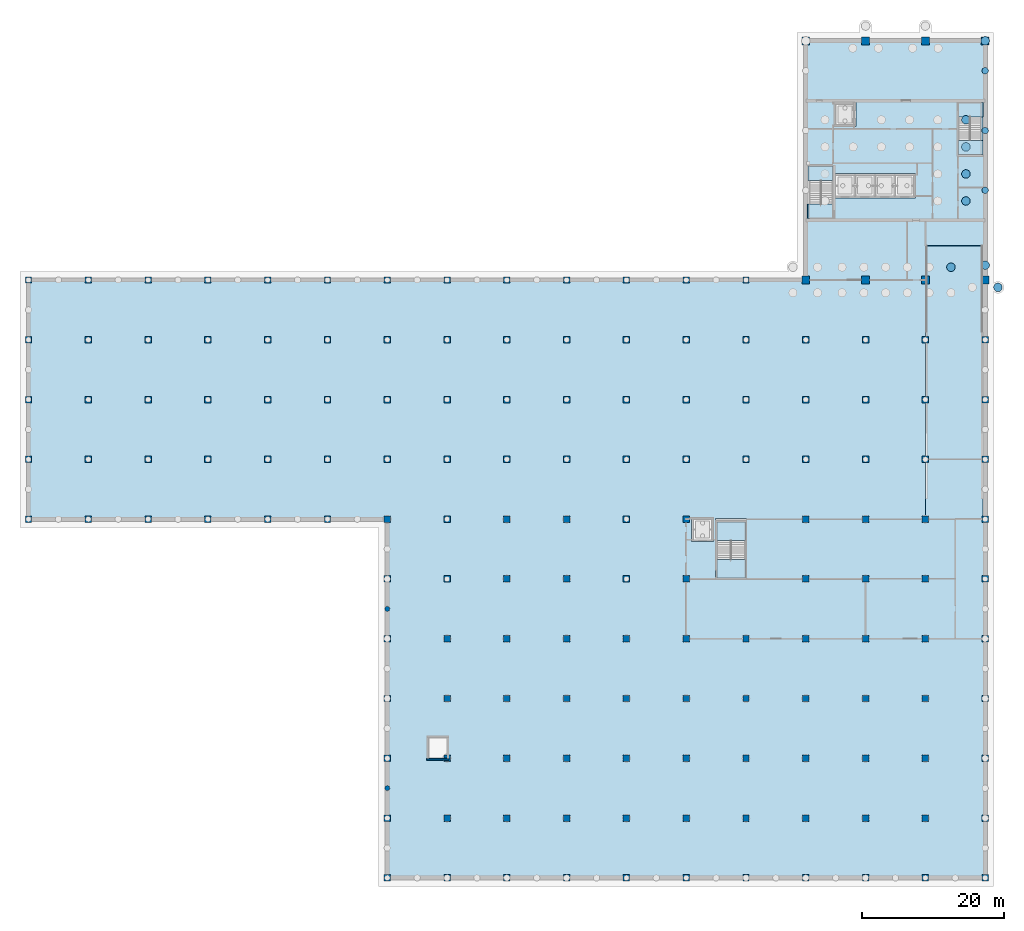
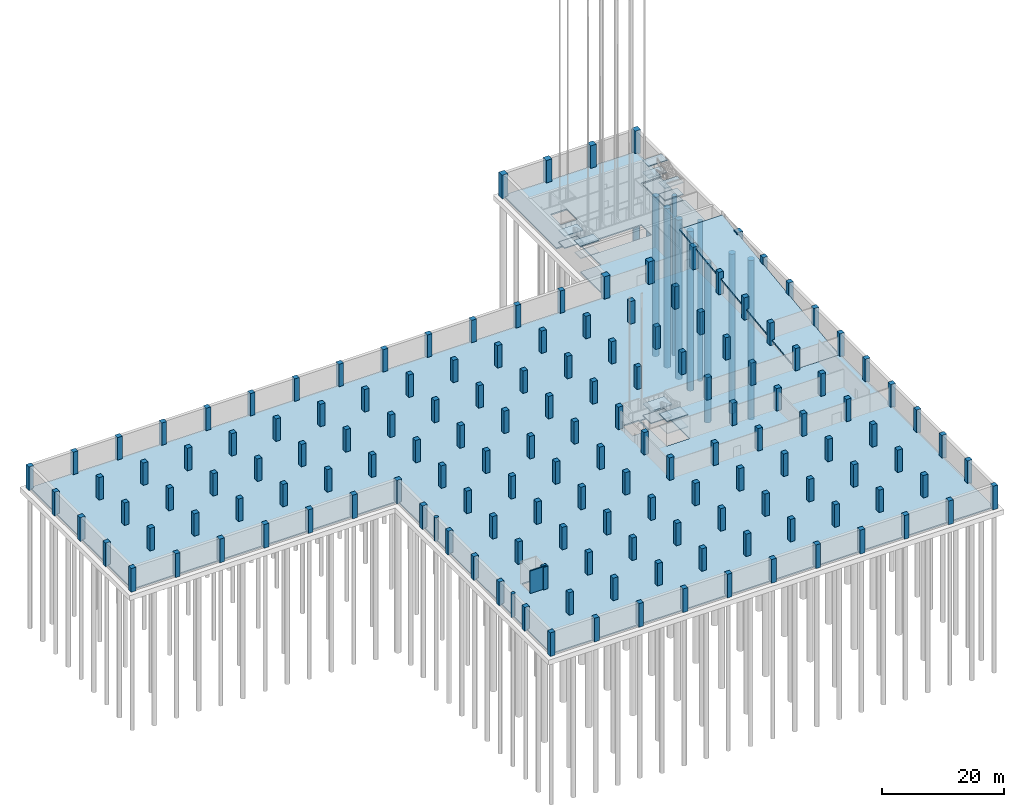
# One storey, part 3 of 26: 155 columns, 14 slabs, 11 piles, 1 footing, 1 wall, 3 elements without a shape of their own.
"""IFC4 building model written with IfcOpenShell, lengths in metres."""

import ifcopenshell
import ifcopenshell.guid

model = None  # the IFC model being written
_history = None  # IfcOwnerHistory: only IFC2X3 demands one
_inside = {}  # id of a spatial element -> (the spatial element, [elements in it])
_under = {}  # id of a project, library or spatial element -> (it, [spatial elements below it])
_declared = {}  # id of a project -> (the project, [libraries it declares])
_typed = {}  # id of a type object -> (the type object, [elements of that type])
_made_of = {}  # id of a material, layer set ... -> (it, [elements and type objects made of it])


def new_model(schema):
    """Start an empty IFC model of exactly this schema.

    Asked for "IFC4X3", IfcOpenShell would pick the latest addendum, in which some entities
    have other attributes; the version numbers below select the first issue.
    IFC2X3 requires an IfcOwnerHistory on every rooted entity: one is made here for all.
    """
    global model, _history
    if schema == "IFC4X3":
        model = ifcopenshell.file(schema_version=(4, 3, 0, 0))
    else:
        model = ifcopenshell.file(schema=schema)
    _inside.clear()
    _under.clear()
    _declared.clear()
    _typed.clear()
    _made_of.clear()
    _history = None
    if model.schema == "IFC2X3":
        org = make("IfcOrganization", Name="unknown")
        user = make(
            "IfcPersonAndOrganization",
            ThePerson=make("IfcPerson", FamilyName="unknown"),
            TheOrganization=org,
        )
        app = make(
            "IfcApplication",
            ApplicationDeveloper=org,
            Version="unknown",
            ApplicationFullName="unknown",
            ApplicationIdentifier="unknown",
        )
        _history = make(
            "IfcOwnerHistory",
            OwningUser=user,
            OwningApplication=app,
            ChangeAction="ADDED",
            CreationDate=0,
        )
    return model


def make(cls, **values):
    """One entity of the class cls with the attributes given. An attribute that is None is left unset."""
    return model.create_entity(
        cls, **{name: value for name, value in values.items() if value is not None}
    )


def rooted(cls, **values):
    """An entity with a GlobalId (a new one), such as an element, a storey or a relation."""
    return make(cls, GlobalId=ifcopenshell.guid.new(), OwnerHistory=_history, **values)


def si_unit(unit_type, name, prefix=None):
    """IfcSIUnit, for example si_unit("LENGTHUNIT", "METRE", prefix="MILLI")."""
    return make("IfcSIUnit", UnitType=unit_type, Prefix=prefix, Name=name)


def assignment(units):
    """IfcUnitAssignment: the units of a project."""
    return None if units is None else make("IfcUnitAssignment", Units=units)


def point(xyz):
    """IfcCartesianPoint."""
    return None if xyz is None else make("IfcCartesianPoint", Coordinates=xyz)


def direction(xyz):
    """IfcDirection."""
    return None if xyz is None else make("IfcDirection", DirectionRatios=xyz)


def frame(location, z_axis=None, x_axis=None):
    """IfcAxis2Placement3D, a coordinate frame: its origin and axes. An axis left out is left unset."""
    return make(
        "IfcAxis2Placement3D",
        Location=point(location),
        Axis=direction(z_axis),
        RefDirection=direction(x_axis),
    )


def frame_2d(location, x_axis=None):
    """IfcAxis2Placement2D, a coordinate frame in the plane: its origin and x axis."""
    return make(
        "IfcAxis2Placement2D", Location=point(location), RefDirection=direction(x_axis)
    )


def origin():
    """The frame at (0, 0, 0) with its axes left unset."""
    return frame((0.0, 0.0, 0.0))


def origin_2d():
    """The frame at (0, 0) in the plane with its x axis left unset."""
    return frame_2d((0.0, 0.0))


def place(relative_to, where):
    """IfcLocalPlacement: puts the frame where relative to a parent placement (None: the world)."""
    return make(
        "IfcLocalPlacement", PlacementRelTo=relative_to, RelativePlacement=where
    )


def context(
    kind, dimensions, precision=None, world=None, true_north=None, identifier=None
):
    """IfcGeometricRepresentationContext, for example the 3D "Model" context."""
    return make(
        "IfcGeometricRepresentationContext",
        ContextIdentifier=identifier,
        ContextType=kind,
        CoordinateSpaceDimension=dimensions,
        Precision=precision,
        WorldCoordinateSystem=world,
        TrueNorth=true_north,
    )


def subcontext(parent, identifier, kind, view, scale=None):
    """IfcGeometricRepresentationSubContext, for example "Body" below "Model"."""
    return make(
        "IfcGeometricRepresentationSubContext",
        ContextIdentifier=identifier,
        ContextType=kind,
        ParentContext=parent,
        TargetScale=scale,
        TargetView=view,
    )


def project(units=None, contexts=None):
    """IfcProject with its units and contexts."""
    return rooted(
        "IfcProject",
        Name="project",
        RepresentationContexts=contexts,
        UnitsInContext=assignment(units),
    )


def spatial(cls, under=None, at=None, **own):
    """A site, building, storey or space (cls), placed at a placement, below another one or the project."""
    s = rooted(cls, ObjectPlacement=at, **own)
    if under is not None:
        _under.setdefault(under.id(), (under, []))[1].append(s)
    return s


def polyline(points):
    """IfcPolyline through the points."""
    return make("IfcPolyline", Points=[point(p) for p in points])


def profile(cls, at=None, kind="AREA", **sizes):
    """A parametric profile (cls). Its sizes go by their IFC names, for example OverallWidth=200.0."""
    return make(cls, ProfileType=kind, Position=at, **sizes)


def rectangle(**sizes):
    """IfcRectangleProfileDef."""
    return profile("IfcRectangleProfileDef", **sizes)


def circle(**sizes):
    """IfcCircleProfileDef."""
    return profile("IfcCircleProfileDef", **sizes)


def outline(outer, holes=None, kind="AREA"):
    """IfcArbitraryClosedProfileDef: a profile drawn as a closed curve; with holes, ...WithVoids."""
    if holes is None:
        return make("IfcArbitraryClosedProfileDef", ProfileType=kind, OuterCurve=outer)
    return make(
        "IfcArbitraryProfileDefWithVoids",
        ProfileType=kind,
        OuterCurve=outer,
        InnerCurves=holes,
    )


def extrude(swept, where, along, depth):
    """IfcExtrudedAreaSolid: the profile swept, set in the frame where, extruded along a direction by depth."""
    return make(
        "IfcExtrudedAreaSolid",
        SweptArea=swept,
        Position=where,
        ExtrudedDirection=direction(along),
        Depth=depth,
    )


def shape(context_of_items, identifier, shape_type, items):
    """IfcShapeRepresentation: the items that make up one representation, for example the "Body"."""
    return make(
        "IfcShapeRepresentation",
        ContextOfItems=context_of_items,
        RepresentationIdentifier=identifier,
        RepresentationType=shape_type,
        Items=items,
    )


def material(Name=None, Category=None):
    """IfcMaterial."""
    return make("IfcMaterial", Name=Name, Category=Category)


def layer(
    of_material, thickness, ventilated=None, Name=None, Category=None, Priority=None
):
    """IfcMaterialLayer: one layer of a wall or slab, of a material (None: an air gap)."""
    return make(
        "IfcMaterialLayer",
        Material=of_material,
        LayerThickness=thickness,
        IsVentilated=ventilated,
        Name=Name,
        Category=Category,
        Priority=Priority,
    )


def layer_set(layers, Name=None):
    """IfcMaterialLayerSet."""
    return make("IfcMaterialLayerSet", MaterialLayers=layers, LayerSetName=Name)


def material_profile(
    of_material, cross_section, Name=None, Category=None, Priority=None
):
    """IfcMaterialProfile: a cross section and its material."""
    return make(
        "IfcMaterialProfile",
        Name=Name,
        Material=of_material,
        Profile=cross_section,
        Priority=Priority,
        Category=Category,
    )


def profile_set(profiles, Name=None, composite=None):
    """IfcMaterialProfileSet."""
    return make(
        "IfcMaterialProfileSet",
        Name=Name,
        MaterialProfiles=profiles,
        CompositeProfile=composite,
    )


def made_of(thing, what):
    """Note that an element or type object is made of a material, layer set ...; save() writes the relation."""
    if what is not None:
        _made_of.setdefault(what.id(), (what, []))[1].append(thing)
    return thing


def type_object(cls, material=None, **own):
    """A type object (cls), such as IfcWallType, which elements share."""
    return made_of(rooted(cls, **own), material)


def element(
    cls,
    number,
    at=None,
    inside=None,
    cuts=None,
    type_object=None,
    material=None,
    context=None,
    identifier="Body",
    shape_type=None,
    held_by="IfcProductDefinitionShape",
    body=None,
    shapes=None,
    **own,
):
    """One element of the class cls, such as IfcWall. Its Tag is "e" and its number.

    at: its placement. inside: the storey or other place that contains it. cuts: it is an
    opening in that element (IfcRelVoidsElement). A single representation is given by context,
    identifier, shape_type and body (its items); several are given by shapes. held_by: the class
    of the entity that holds the representations. save() writes the other relations.
    """
    e = rooted(cls, Tag="e%d" % number, ObjectPlacement=at, **own)
    if body is not None:
        shapes = [shape(context, identifier, shape_type, body)]
    if shapes is not None:
        e.Representation = make(held_by, Representations=shapes)
    if inside is not None:
        _inside.setdefault(inside.id(), (inside, []))[1].append(e)
    if cuts is not None:
        rooted(
            "IfcRelVoidsElement", RelatingBuildingElement=cuts, RelatedOpeningElement=e
        )
    if type_object is not None:
        _typed.setdefault(type_object.id(), (type_object, []))[1].append(e)
    return made_of(e, material)


def aggregate(whole, parts):
    """IfcRelAggregates: a whole, such as a stair, and the parts it consists of."""
    return rooted("IfcRelAggregates", RelatingObject=whole, RelatedObjects=parts)


def save(model, path):
    """Write the relations noted so far, then the file.

    IfcRelAggregates (storeys below a building ...), IfcRelContainedInSpatialStructure (elements
    in a storey), IfcRelDefinesByType, IfcRelAssociatesMaterial and IfcRelDeclares: one each for
    every whole, place, type object, material and project.
    """
    for whole, parts in _under.values():
        aggregate(whole, parts)
    for where, things in _inside.values():
        rooted(
            "IfcRelContainedInSpatialStructure",
            RelatedElements=things,
            RelatingStructure=where,
        )
    for kind, things in _typed.values():
        rooted("IfcRelDefinesByType", RelatedObjects=things, RelatingType=kind)
    for what, things in _made_of.values():
        rooted("IfcRelAssociatesMaterial", RelatedObjects=things, RelatingMaterial=what)
    for by, libraries in _declared.values():
        rooted("IfcRelDeclares", RelatingContext=by, RelatedDefinitions=libraries)
    model.write(path)


model = new_model("IFC4")

# Units and contexts
model_context = context("Model", 3, precision=1e-05, world=origin(), true_north=direction((0.0, 1.0)))
body_context = subcontext(model_context, "Body", "Model", "MODEL_VIEW")
ifc_project = project(units=[si_unit("LENGTHUNIT", "METRE"), si_unit("AREAUNIT", "SQUARE_METRE"), si_unit("VOLUMEUNIT", "CUBIC_METRE"), si_unit("PLANEANGLEUNIT", "RADIAN"), si_unit("MASSUNIT", "GRAM", prefix="KILO")], contexts=[model_context])

# Site, building, storey
site_placement = place(None, origin())
site = spatial("IfcSite", under=ifc_project, at=site_placement, CompositionType="ELEMENT")
building_placement = place(site_placement, origin())
building = spatial("IfcBuilding", under=site, at=building_placement, Name="Rulbaag Community and Learning Centre", CompositionType="ELEMENT")
storey_placement = place(building_placement, frame((0.0, 0.0, -9.60009765625)))
storey = spatial("IfcBuildingStorey", under=building, at=storey_placement, Name="B2", CompositionType="ELEMENT", Elevation=-9.60009765625)

# Piles
ifc_material_1 = material(Name="Concrete M35", Category="concrete")
ifc_material_profile_1 = material_profile(ifc_material_1, circle(Radius=0.449951171875, at=origin_2d()), Name="BP900")
ifc_profile_set_1 = profile_set([ifc_material_profile_1], Name="Concrete M35")
pile_type_1 = type_object("IfcPileType", Name="P2 Bored pile 900 mm Concrete M35", PredefinedType="BORED", material=ifc_profile_set_1)
for number, where, z_axis, x_axis, name in (
    (1, (168.0, 96.60009765625, -1.14990234375), (0.0, 0.0, -1.0), (1.0, 0.0, 0.0), "PL-RAFT-168.0x96.6"),
    (2, (168.0, 105.0, -1.14990234375), (0.0, 0.0, -1.0), (1.0, 0.0, 0.0), "PL-RAFT-168.0x105.0"),
    (3, (168.0, 113.39990234375, -1.14990234375), (0.0, 0.0, -1.0), (1.0, 0.0, 0.0), "PL-RAFT-168.0x113.4"),
):
    element("IfcPile", number, at=place(storey_placement, frame(where, z_axis=z_axis, x_axis=x_axis)), inside=storey, type_object=pile_type_1, Name=name, PredefinedType="BORED", context=body_context, shape_type="SweptSolid", body=[
        extrude(circle(Radius=0.449951171875, at=origin_2d()), origin(), (0.0, 0.0, 1.0), 32.0),
    ])
ifc_material_profile_2 = material_profile(ifc_material_1, circle(Radius=0.60009765625, at=origin_2d()), Name="BP1200")
ifc_profile_set_2 = profile_set([ifc_material_profile_2], Name="Concrete M35")
pile_type_2 = type_object("IfcPileType", Name="P4 Bored pile 1200 mm Concrete M35", PredefinedType="BORED", material=ifc_profile_set_2)
for number, where, z_axis, x_axis, name in (
    (4, (163.199951171875, 85.800048828125, -1.14990234375), (0.0, 0.0, -1.0), (1.0, 0.0, 0.0), "PL-RAFT-163.2x85.8"),
    (5, (169.800048828125, 82.960693359375, -1.14990234375), (0.0, 0.0, -1.0), (1.0, 0.0, 0.0), "PL-RAFT-169.8x83.0"),
    (6, (168.0, 86.07861328125, -1.14990234375), (0.0, 0.0, -1.0), (1.0, 0.0, 0.0), "PL-RAFT-168.0x86.1"),
    (7, (168.0, 117.60009765625, -1.14990234375), (0.0, 0.0, -1.0), (1.0, 0.0, 0.0), "PL-RAFT-168.0x117.6"),
    (8, (165.300048828125, 95.10009765625, -1.14990234375), (0.0, 0.0, -1.0), (1.0, 0.0, 0.0), "PL-RAFT-165.3x95.1"),
    (9, (165.300048828125, 98.89990234375, -1.14990234375), (0.0, 0.0, -1.0), (1.0, 0.0, 0.0), "PL-RAFT-165.3x98.9"),
    (10, (165.300048828125, 102.699951171875, -1.14990234375), (0.0, 0.0, -1.0), (1.0, 0.0, 0.0), "PL-RAFT-165.3x102.7"),
    (11, (165.300048828125, 106.5, -1.14990234375), (0.0, 0.0, -1.0), (1.0, 0.0, 0.0), "PL-RAFT-165.3x106.5"),
):
    element("IfcPile", number, at=place(storey_placement, frame(where, z_axis=z_axis, x_axis=x_axis)), inside=storey, type_object=pile_type_2, Name=name, PredefinedType="BORED", context=body_context, shape_type="SweptSolid", body=[
        extrude(circle(Radius=0.60009765625, at=origin_2d()), origin(), (0.0, 0.0, 1.0), 32.0),
    ])

# Footing
ifc_layer_1 = layer(ifc_material_1, 0.25)
ifc_layer_set_1 = layer_set([ifc_layer_1], Name="PCS Stair base slab 250 Concrete M35")
footing_type = type_object("IfcFootingType", Name="PCS Stair base slab 250 Concrete M35", PredefinedType="PAD_FOOTING", material=ifc_layer_set_1)
footing_placement = place(storey_placement, frame((0.0, 0.0, -0.25)))
element("IfcFooting", 12, at=footing_placement, inside=storey, type_object=footing_type, Name="Stair base slab ST2", PredefinedType="PAD_FOOTING", context=body_context, shape_type="SweptSolid", body=[
    extrude(outline(polyline([(164.199951171875, 101.60009765625), (167.699951171875, 101.60009765625), (167.699951171875, 108.949951171875), (164.199951171875, 108.949951171875), (164.199951171875, 101.60009765625)])), origin(), (0.0, 0.0, 1.0), 0.25),
])

# Columns
ifc_material_2 = material(Name="Concrete M40", Category="concrete")
ifc_material_profile_3 = material_profile(ifc_material_2, circle(Radius=0.35009765625, at=origin_2d()), Name="RD700")
ifc_profile_set_3 = profile_set([ifc_material_profile_3], Name="Concrete M40")
column_type_1 = type_object("IfcColumnType", Name="C11 Circular column 700 Concrete M40", PredefinedType="COLUMN", material=ifc_profile_set_3)
for number, where, z_axis, x_axis, name in (
    (13, (84.0, 12.60009765625, -0.25), (0.0, 0.0, 1.0), (1.0, 0.0, 0.0), "COL-G84x12.6-B2"),
    (14, (84.0, 37.800048828125, -0.25), (0.0, 0.0, 1.0), (1.0, 0.0, 0.0), "COL-G84x37.8-B2"),
):
    element("IfcColumn", number, at=place(storey_placement, frame(where, z_axis=z_axis, x_axis=x_axis)), inside=storey, type_object=column_type_1, Name=name, PredefinedType="COLUMN", context=body_context, shape_type="SweptSolid", body=[
        extrude(circle(Radius=0.35009765625, at=origin_2d()), origin(), (0.0, 0.0, 1.0), 4.75),
    ])
ifc_material_3 = material(Name="Concrete M60", Category="concrete")
ifc_material_profile_4 = material_profile(ifc_material_3, rectangle(XDim=0.89990234375, YDim=0.89990234375, at=origin_2d()), Name="RC900x900")
ifc_profile_set_4 = profile_set([ifc_material_profile_4], Name="Concrete M60")
column_type_2 = type_object("IfcColumnType", Name="C2 Column 900x900 Concrete M60", PredefinedType="COLUMN", material=ifc_profile_set_4)
for number, where, z_axis, x_axis, name in (
    (15, (33.60009765625, 50.39990234375, -0.25), (0.0, 0.0, 1.0), (1.0, 0.0, 0.0), "COL-5G-B2"),
    (16, (33.60009765625, 58.800048828125, -0.25), (0.0, 0.0, 1.0), (1.0, 0.0, 0.0), "COL-5H-B2"),
    (17, (33.60009765625, 67.199951171875, -0.25), (0.0, 0.0, 1.0), (1.0, 0.0, 0.0), "COL-5I-B2"),
    (18, (33.60009765625, 75.60009765625, -0.25), (0.0, 0.0, 1.0), (1.0, 0.0, 0.0), "COL-5J-B2"),
    (19, (33.60009765625, 84.0, -0.25), (0.0, 0.0, 1.0), (1.0, 0.0, 0.0), "COL-5K-B2"),
    (20, (42.0, 50.39990234375, -0.25), (0.0, 0.0, 1.0), (1.0, 0.0, 0.0), "COL-6G-B2"),
    (21, (42.0, 58.800048828125, -0.25), (0.0, 0.0, 1.0), (1.0, 0.0, 0.0), "COL-6H-B2"),
    (22, (42.0, 67.199951171875, -0.25), (0.0, 0.0, 1.0), (1.0, 0.0, 0.0), "COL-6I-B2"),
    (23, (42.0, 75.60009765625, -0.25), (0.0, 0.0, 1.0), (1.0, 0.0, 0.0), "COL-6J-B2"),
    (24, (42.0, 84.0, -0.25), (0.0, 0.0, 1.0), (1.0, 0.0, 0.0), "COL-6K-B2"),
    (25, (50.39990234375, 50.39990234375, -0.25), (0.0, 0.0, 1.0), (1.0, 0.0, 0.0), "COL-7G-B2"),
    (26, (50.39990234375, 58.800048828125, -0.25), (0.0, 0.0, 1.0), (1.0, 0.0, 0.0), "COL-7H-B2"),
    (27, (50.39990234375, 67.199951171875, -0.25), (0.0, 0.0, 1.0), (1.0, 0.0, 0.0), "COL-7I-B2"),
    (28, (50.39990234375, 75.60009765625, -0.25), (0.0, 0.0, 1.0), (1.0, 0.0, 0.0), "COL-7J-B2"),
    (29, (50.39990234375, 84.0, -0.25), (0.0, 0.0, 1.0), (1.0, 0.0, 0.0), "COL-7K-B2"),
    (30, (58.800048828125, 50.39990234375, -0.25), (0.0, 0.0, 1.0), (1.0, 0.0, 0.0), "COL-8G-B2"),
    (31, (58.800048828125, 58.800048828125, -0.25), (0.0, 0.0, 1.0), (1.0, 0.0, 0.0), "COL-8H-B2"),
    (32, (58.800048828125, 67.199951171875, -0.25), (0.0, 0.0, 1.0), (1.0, 0.0, 0.0), "COL-8I-B2"),
    (33, (58.800048828125, 75.60009765625, -0.25), (0.0, 0.0, 1.0), (1.0, 0.0, 0.0), "COL-8J-B2"),
    (34, (58.800048828125, 84.0, -0.25), (0.0, 0.0, 1.0), (1.0, 0.0, 0.0), "COL-8K-B2"),
    (35, (67.199951171875, 50.39990234375, -0.25), (0.0, 0.0, 1.0), (1.0, 0.0, 0.0), "COL-9G-B2"),
    (36, (67.199951171875, 58.800048828125, -0.25), (0.0, 0.0, 1.0), (1.0, 0.0, 0.0), "COL-9H-B2"),
    (37, (67.199951171875, 67.199951171875, -0.25), (0.0, 0.0, 1.0), (1.0, 0.0, 0.0), "COL-9I-B2"),
    (38, (67.199951171875, 75.60009765625, -0.25), (0.0, 0.0, 1.0), (1.0, 0.0, 0.0), "COL-9J-B2"),
    (39, (67.199951171875, 84.0, -0.25), (0.0, 0.0, 1.0), (1.0, 0.0, 0.0), "COL-9K-B2"),
    (40, (75.60009765625, 50.39990234375, -0.25), (0.0, 0.0, 1.0), (1.0, 0.0, 0.0), "COL-10G-B2"),
    (41, (75.60009765625, 58.800048828125, -0.25), (0.0, 0.0, 1.0), (1.0, 0.0, 0.0), "COL-10H-B2"),
    (42, (75.60009765625, 67.199951171875, -0.25), (0.0, 0.0, 1.0), (1.0, 0.0, 0.0), "COL-10I-B2"),
    (43, (75.60009765625, 75.60009765625, -0.25), (0.0, 0.0, 1.0), (1.0, 0.0, 0.0), "COL-10J-B2"),
    (44, (75.60009765625, 84.0, -0.25), (0.0, 0.0, 1.0), (1.0, 0.0, 0.0), "COL-10K-B2"),
    (45, (84.0, 0.0, -0.25), (0.0, 0.0, 1.0), (1.0, 0.0, 0.0), "COL-11A-B2"),
    (46, (84.0, 8.39990234375, -0.25), (0.0, 0.0, 1.0), (1.0, 0.0, 0.0), "COL-11B-B2"),
    (47, (84.0, 16.800048828125, -0.25), (0.0, 0.0, 1.0), (1.0, 0.0, 0.0), "COL-11C-B2"),
    (48, (84.0, 25.199951171875, -0.25), (0.0, 0.0, 1.0), (1.0, 0.0, 0.0), "COL-11D-B2"),
    (49, (84.0, 33.60009765625, -0.25), (0.0, 0.0, 1.0), (1.0, 0.0, 0.0), "COL-11E-B2"),
    (50, (84.0, 42.0, -0.25), (0.0, 0.0, 1.0), (1.0, 0.0, 0.0), "COL-11F-B2"),
    (51, (84.0, 50.39990234375, -0.25), (0.0, 0.0, 1.0), (1.0, 0.0, 0.0), "COL-11G-B2"),
    (52, (84.0, 58.800048828125, -0.25), (0.0, 0.0, 1.0), (1.0, 0.0, 0.0), "COL-11H-B2"),
    (53, (84.0, 67.199951171875, -0.25), (0.0, 0.0, 1.0), (1.0, 0.0, 0.0), "COL-11I-B2"),
    (54, (84.0, 75.60009765625, -0.25), (0.0, 0.0, 1.0), (1.0, 0.0, 0.0), "COL-11J-B2"),
    (55, (84.0, 84.0, -0.25), (0.0, 0.0, 1.0), (1.0, 0.0, 0.0), "COL-11K-B2"),
    (56, (92.39990234375, 0.0, -0.25), (0.0, 0.0, 1.0), (1.0, 0.0, 0.0), "COL-12A-B2"),
    (57, (92.39990234375, 8.39990234375, -0.25), (0.0, 0.0, 1.0), (1.0, 0.0, 0.0), "COL-12B-B2"),
    (58, (92.39990234375, 16.800048828125, -0.25), (0.0, 0.0, 1.0), (1.0, 0.0, 0.0), "COL-12C-B2"),
    (59, (92.39990234375, 25.199951171875, -0.25), (0.0, 0.0, 1.0), (1.0, 0.0, 0.0), "COL-12D-B2"),
    (60, (92.39990234375, 33.60009765625, -0.25), (0.0, 0.0, 1.0), (1.0, 0.0, 0.0), "COL-12E-B2"),
    (61, (92.39990234375, 42.0, -0.25), (0.0, 0.0, 1.0), (1.0, 0.0, 0.0), "COL-12F-B2"),
    (62, (92.39990234375, 50.39990234375, -0.25), (0.0, 0.0, 1.0), (1.0, 0.0, 0.0), "COL-12G-B2"),
    (63, (92.39990234375, 58.800048828125, -0.25), (0.0, 0.0, 1.0), (1.0, 0.0, 0.0), "COL-12H-B2"),
    (64, (92.39990234375, 67.199951171875, -0.25), (0.0, 0.0, 1.0), (1.0, 0.0, 0.0), "COL-12I-B2"),
    (65, (92.39990234375, 75.60009765625, -0.25), (0.0, 0.0, 1.0), (1.0, 0.0, 0.0), "COL-12J-B2"),
    (66, (92.39990234375, 84.0, -0.25), (0.0, 0.0, 1.0), (1.0, 0.0, 0.0), "COL-12K-B2"),
    (67, (100.800048828125, 0.0, -0.25), (0.0, 0.0, 1.0), (1.0, 0.0, 0.0), "COL-13A-B2"),
    (68, (100.800048828125, 8.39990234375, -0.25), (0.0, 0.0, 1.0), (1.0, 0.0, 0.0), "COL-13B-B2"),
    (69, (100.800048828125, 16.800048828125, -0.25), (0.0, 0.0, 1.0), (1.0, 0.0, 0.0), "COL-13C-B2"),
    (70, (100.800048828125, 25.199951171875, -0.25), (0.0, 0.0, 1.0), (1.0, 0.0, 0.0), "COL-13D-B2"),
    (71, (100.800048828125, 33.60009765625, -0.25), (0.0, 0.0, 1.0), (1.0, 0.0, 0.0), "COL-13E-B2"),
    (72, (100.800048828125, 42.0, -0.25), (0.0, 0.0, 1.0), (1.0, 0.0, 0.0), "COL-13F-B2"),
    (73, (100.800048828125, 50.39990234375, -0.25), (0.0, 0.0, 1.0), (1.0, 0.0, 0.0), "COL-13G-B2"),
    (74, (100.800048828125, 58.800048828125, -0.25), (0.0, 0.0, 1.0), (1.0, 0.0, 0.0), "COL-13H-B2"),
    (75, (100.800048828125, 67.199951171875, -0.25), (0.0, 0.0, 1.0), (1.0, 0.0, 0.0), "COL-13I-B2"),
    (76, (100.800048828125, 75.60009765625, -0.25), (0.0, 0.0, 1.0), (1.0, 0.0, 0.0), "COL-13J-B2"),
    (77, (100.800048828125, 84.0, -0.25), (0.0, 0.0, 1.0), (1.0, 0.0, 0.0), "COL-13K-B2"),
    (78, (109.199951171875, 0.0, -0.25), (0.0, 0.0, 1.0), (1.0, 0.0, 0.0), "COL-14A-B2"),
    (79, (109.199951171875, 8.39990234375, -0.25), (0.0, 0.0, 1.0), (1.0, 0.0, 0.0), "COL-14B-B2"),
    (80, (109.199951171875, 16.800048828125, -0.25), (0.0, 0.0, 1.0), (1.0, 0.0, 0.0), "COL-14C-B2"),
    (81, (109.199951171875, 25.199951171875, -0.25), (0.0, 0.0, 1.0), (1.0, 0.0, 0.0), "COL-14D-B2"),
    (82, (109.199951171875, 33.60009765625, -0.25), (0.0, 0.0, 1.0), (1.0, 0.0, 0.0), "COL-14E-B2"),
    (83, (109.199951171875, 42.0, -0.25), (0.0, 0.0, 1.0), (1.0, 0.0, 0.0), "COL-14F-B2"),
    (84, (109.199951171875, 50.39990234375, -0.25), (0.0, 0.0, 1.0), (1.0, 0.0, 0.0), "COL-14G-B2"),
    (85, (109.199951171875, 58.800048828125, -0.25), (0.0, 0.0, 1.0), (1.0, 0.0, 0.0), "COL-14H-B2"),
    (86, (109.199951171875, 67.199951171875, -0.25), (0.0, 0.0, 1.0), (1.0, 0.0, 0.0), "COL-14I-B2"),
    (87, (109.199951171875, 75.60009765625, -0.25), (0.0, 0.0, 1.0), (1.0, 0.0, 0.0), "COL-14J-B2"),
    (88, (109.199951171875, 84.0, -0.25), (0.0, 0.0, 1.0), (1.0, 0.0, 0.0), "COL-14K-B2"),
    (89, (117.60009765625, 0.0, -0.25), (0.0, 0.0, 1.0), (1.0, 0.0, 0.0), "COL-15A-B2"),
    (90, (117.60009765625, 8.39990234375, -0.25), (0.0, 0.0, 1.0), (1.0, 0.0, 0.0), "COL-15B-B2"),
    (91, (117.60009765625, 16.800048828125, -0.25), (0.0, 0.0, 1.0), (1.0, 0.0, 0.0), "COL-15C-B2"),
    (92, (117.60009765625, 25.199951171875, -0.25), (0.0, 0.0, 1.0), (1.0, 0.0, 0.0), "COL-15D-B2"),
    (93, (117.60009765625, 33.60009765625, -0.25), (0.0, 0.0, 1.0), (1.0, 0.0, 0.0), "COL-15E-B2"),
    (94, (117.60009765625, 42.0, -0.25), (0.0, 0.0, 1.0), (1.0, 0.0, 0.0), "COL-15F-B2"),
    (95, (117.60009765625, 50.39990234375, -0.25), (0.0, 0.0, 1.0), (1.0, 0.0, 0.0), "COL-15G-B2"),
    (96, (117.60009765625, 58.800048828125, -0.25), (0.0, 0.0, 1.0), (1.0, 0.0, 0.0), "COL-15H-B2"),
    (97, (117.60009765625, 67.199951171875, -0.25), (0.0, 0.0, 1.0), (1.0, 0.0, 0.0), "COL-15I-B2"),
    (98, (117.60009765625, 75.60009765625, -0.25), (0.0, 0.0, 1.0), (1.0, 0.0, 0.0), "COL-15J-B2"),
    (99, (117.60009765625, 84.0, -0.25), (0.0, 0.0, 1.0), (1.0, 0.0, 0.0), "COL-15K-B2"),
    (100, (126.0, 0.0, -0.25), (0.0, 0.0, 1.0), (1.0, 0.0, 0.0), "COL-16A-B2"),
    (101, (126.0, 8.39990234375, -0.25), (0.0, 0.0, 1.0), (1.0, 0.0, 0.0), "COL-16B-B2"),
    (102, (126.0, 16.800048828125, -0.25), (0.0, 0.0, 1.0), (1.0, 0.0, 0.0), "COL-16C-B2"),
    (103, (126.0, 25.199951171875, -0.25), (0.0, 0.0, 1.0), (1.0, 0.0, 0.0), "COL-16D-B2"),
    (104, (126.0, 33.60009765625, -0.25), (0.0, 0.0, 1.0), (1.0, 0.0, 0.0), "COL-16E-B2"),
    (105, (126.0, 42.0, -0.25), (0.0, 0.0, 1.0), (1.0, 0.0, 0.0), "COL-16F-B2"),
    (106, (126.0, 50.39990234375, -0.25), (0.0, 0.0, 1.0), (1.0, 0.0, 0.0), "COL-16G-B2"),
    (107, (126.0, 58.800048828125, -0.25), (0.0, 0.0, 1.0), (1.0, 0.0, 0.0), "COL-16H-B2"),
    (108, (126.0, 67.199951171875, -0.25), (0.0, 0.0, 1.0), (1.0, 0.0, 0.0), "COL-16I-B2"),
    (109, (126.0, 75.60009765625, -0.25), (0.0, 0.0, 1.0), (1.0, 0.0, 0.0), "COL-16J-B2"),
    (110, (126.0, 84.0, -0.25), (0.0, 0.0, 1.0), (1.0, 0.0, 0.0), "COL-16K-B2"),
    (111, (134.39990234375, 0.0, -0.25), (0.0, 0.0, 1.0), (1.0, 0.0, 0.0), "COL-17A-B2"),
    (112, (134.39990234375, 8.39990234375, -0.25), (0.0, 0.0, 1.0), (1.0, 0.0, 0.0), "COL-17B-B2"),
    (113, (134.39990234375, 16.800048828125, -0.25), (0.0, 0.0, 1.0), (1.0, 0.0, 0.0), "COL-17C-B2"),
    (114, (134.39990234375, 25.199951171875, -0.25), (0.0, 0.0, 1.0), (1.0, 0.0, 0.0), "COL-17D-B2"),
    (115, (134.39990234375, 33.60009765625, -0.25), (0.0, 0.0, 1.0), (1.0, 0.0, 0.0), "COL-17E-B2"),
    (116, (134.39990234375, 58.800048828125, -0.25), (0.0, 0.0, 1.0), (1.0, 0.0, 0.0), "COL-17H-B2"),
    (117, (134.39990234375, 67.199951171875, -0.25), (0.0, 0.0, 1.0), (1.0, 0.0, 0.0), "COL-17I-B2"),
    (118, (134.39990234375, 75.60009765625, -0.25), (0.0, 0.0, 1.0), (1.0, 0.0, 0.0), "COL-17J-B2"),
    (119, (134.39990234375, 84.0, -0.25), (0.0, 0.0, 1.0), (1.0, 0.0, 0.0), "COL-17K-B2"),
    (120, (142.800048828125, 0.0, -0.25), (0.0, 0.0, 1.0), (1.0, 0.0, 0.0), "COL-18A-B2"),
    (121, (142.800048828125, 8.39990234375, -0.25), (0.0, 0.0, 1.0), (1.0, 0.0, 0.0), "COL-18B-B2"),
    (122, (142.800048828125, 16.800048828125, -0.25), (0.0, 0.0, 1.0), (1.0, 0.0, 0.0), "COL-18C-B2"),
    (123, (142.800048828125, 25.199951171875, -0.25), (0.0, 0.0, 1.0), (1.0, 0.0, 0.0), "COL-18D-B2"),
    (124, (142.800048828125, 33.60009765625, -0.25), (0.0, 0.0, 1.0), (1.0, 0.0, 0.0), "COL-18E-B2"),
    (125, (142.800048828125, 42.0, -0.25), (0.0, 0.0, 1.0), (1.0, 0.0, 0.0), "COL-18F-B2"),
    (126, (142.800048828125, 50.39990234375, -0.25), (0.0, 0.0, 1.0), (1.0, 0.0, 0.0), "COL-18G-B2"),
    (127, (142.800048828125, 58.800048828125, -0.25), (0.0, 0.0, 1.0), (1.0, 0.0, 0.0), "COL-18H-B2"),
    (128, (142.800048828125, 67.199951171875, -0.25), (0.0, 0.0, 1.0), (1.0, 0.0, 0.0), "COL-18I-B2"),
    (129, (142.800048828125, 75.60009765625, -0.25), (0.0, 0.0, 1.0), (1.0, 0.0, 0.0), "COL-18J-B2"),
    (130, (151.199951171875, 0.0, -0.25), (0.0, 0.0, 1.0), (1.0, 0.0, 0.0), "COL-19A-B2"),
    (131, (151.199951171875, 8.39990234375, -0.25), (0.0, 0.0, 1.0), (1.0, 0.0, 0.0), "COL-19B-B2"),
    (132, (151.199951171875, 16.800048828125, -0.25), (0.0, 0.0, 1.0), (1.0, 0.0, 0.0), "COL-19C-B2"),
    (133, (151.199951171875, 25.199951171875, -0.25), (0.0, 0.0, 1.0), (1.0, 0.0, 0.0), "COL-19D-B2"),
    (134, (151.199951171875, 33.60009765625, -0.25), (0.0, 0.0, 1.0), (1.0, 0.0, 0.0), "COL-19E-B2"),
    (135, (151.199951171875, 42.0, -0.25), (0.0, 0.0, 1.0), (1.0, 0.0, 0.0), "COL-19F-B2"),
    (136, (151.199951171875, 50.39990234375, -0.25), (0.0, 0.0, 1.0), (1.0, 0.0, 0.0), "COL-19G-B2"),
    (137, (151.199951171875, 58.800048828125, -0.25), (0.0, 0.0, 1.0), (1.0, 0.0, 0.0), "COL-19H-B2"),
    (138, (151.199951171875, 67.199951171875, -0.25), (0.0, 0.0, 1.0), (1.0, 0.0, 0.0), "COL-19I-B2"),
    (139, (151.199951171875, 75.60009765625, -0.25), (0.0, 0.0, 1.0), (1.0, 0.0, 0.0), "COL-19J-B2"),
    (140, (159.60009765625, 0.0, -0.25), (0.0, 0.0, 1.0), (1.0, 0.0, 0.0), "COL-20A-B2"),
    (141, (159.60009765625, 8.39990234375, -0.25), (0.0, 0.0, 1.0), (1.0, 0.0, 0.0), "COL-20B-B2"),
    (142, (159.60009765625, 16.800048828125, -0.25), (0.0, 0.0, 1.0), (1.0, 0.0, 0.0), "COL-20C-B2"),
    (143, (159.60009765625, 25.199951171875, -0.25), (0.0, 0.0, 1.0), (1.0, 0.0, 0.0), "COL-20D-B2"),
    (144, (159.60009765625, 33.60009765625, -0.25), (0.0, 0.0, 1.0), (1.0, 0.0, 0.0), "COL-20E-B2"),
    (145, (159.60009765625, 42.0, -0.25), (0.0, 0.0, 1.0), (1.0, 0.0, 0.0), "COL-20F-B2"),
    (146, (159.60009765625, 50.39990234375, -0.25), (0.0, 0.0, 1.0), (1.0, 0.0, 0.0), "COL-20G-B2"),
    (147, (159.60009765625, 58.800048828125, -0.25), (0.0, 0.0, 1.0), (1.0, 0.0, 0.0), "COL-20H-B2"),
    (148, (159.60009765625, 67.199951171875, -0.25), (0.0, 0.0, 1.0), (1.0, 0.0, 0.0), "COL-20I-B2"),
    (149, (159.60009765625, 75.60009765625, -0.25), (0.0, 0.0, 1.0), (1.0, 0.0, 0.0), "COL-20J-B2"),
    (150, (168.0, 0.0, -0.25), (0.0, 0.0, 1.0), (1.0, 0.0, 0.0), "COL-21A-B2"),
    (151, (168.0, 8.39990234375, -0.25), (0.0, 0.0, 1.0), (1.0, 0.0, 0.0), "COL-21B-B2"),
    (152, (168.0, 16.800048828125, -0.25), (0.0, 0.0, 1.0), (1.0, 0.0, 0.0), "COL-21C-B2"),
    (153, (168.0, 25.199951171875, -0.25), (0.0, 0.0, 1.0), (1.0, 0.0, 0.0), "COL-21D-B2"),
    (154, (168.0, 33.60009765625, -0.25), (0.0, 0.0, 1.0), (1.0, 0.0, 0.0), "COL-21E-B2"),
    (155, (168.0, 42.0, -0.25), (0.0, 0.0, 1.0), (1.0, 0.0, 0.0), "COL-21F-B2"),
    (156, (168.0, 50.39990234375, -0.25), (0.0, 0.0, 1.0), (1.0, 0.0, 0.0), "COL-21G-B2"),
    (157, (168.0, 58.800048828125, -0.25), (0.0, 0.0, 1.0), (1.0, 0.0, 0.0), "COL-21H-B2"),
    (158, (168.0, 67.199951171875, -0.25), (0.0, 0.0, 1.0), (1.0, 0.0, 0.0), "COL-21I-B2"),
    (159, (168.0, 75.60009765625, -0.25), (0.0, 0.0, 1.0), (1.0, 0.0, 0.0), "COL-21J-B2"),
):
    element("IfcColumn", number, at=place(storey_placement, frame(where, z_axis=z_axis, x_axis=x_axis)), inside=storey, type_object=column_type_2, Name=name, PredefinedType="COLUMN", context=body_context, shape_type="SweptSolid", body=[
        extrude(rectangle(XDim=0.89990234375, YDim=0.89990234375, at=origin_2d()), origin(), (0.0, 0.0, 1.0), 4.75),
    ])
ifc_material_profile_5 = material_profile(ifc_material_3, rectangle(XDim=1.10009765625, YDim=1.10009765625, at=origin_2d()), Name="RC1100x1100")
ifc_profile_set_5 = profile_set([ifc_material_profile_5], Name="Concrete M60")
column_type_3 = type_object("IfcColumnType", Name="C9 Column 1100x1100 Concrete M60", PredefinedType="COLUMN", material=ifc_profile_set_5)
for number, where, z_axis, x_axis, name in (
    (160, (142.800048828125, 84.0, -0.25), (0.0, 0.0, 1.0), (1.0, 0.0, 0.0), "COL-18K-B2"),
    (161, (142.800048828125, 117.60009765625, -0.25), (0.0, 0.0, 1.0), (1.0, 0.0, 0.0), "COL-18O-B2"),
    (162, (151.199951171875, 84.0, -0.25), (0.0, 0.0, 1.0), (1.0, 0.0, 0.0), "COL-19K-B2"),
    (163, (151.199951171875, 117.60009765625, -0.25), (0.0, 0.0, 1.0), (1.0, 0.0, 0.0), "COL-19O-B2"),
    (164, (159.60009765625, 84.0, -0.25), (0.0, 0.0, 1.0), (1.0, 0.0, 0.0), "COL-20K-B2"),
    (165, (159.60009765625, 117.60009765625, -0.25), (0.0, 0.0, 1.0), (1.0, 0.0, 0.0), "COL-20O-B2"),
    (166, (168.0, 84.0, -0.25), (0.0, 0.0, 1.0), (1.0, 0.0, 0.0), "COL-21K-B2"),
    (167, (168.0, 117.60009765625, -0.25), (0.0, 0.0, 1.0), (1.0, 0.0, 0.0), "COL-21O-B2"),
):
    element("IfcColumn", number, at=place(storey_placement, frame(where, z_axis=z_axis, x_axis=x_axis)), inside=storey, type_object=column_type_3, Name=name, PredefinedType="COLUMN", context=body_context, shape_type="SweptSolid", body=[
        extrude(rectangle(XDim=1.10009765625, YDim=1.10009765625, at=origin_2d()), origin(), (0.0, 0.0, 1.0), 4.75),
    ])

# Stair, slabs
stair_type_1 = type_object("IfcStairType", Name="ST-2000 STAIR 2000 WIDE", PredefinedType="HALF_TURN_STAIR", material=ifc_material_2)
stair_1_placement = place(storey_placement, origin())
stair_1 = element("IfcStair", 168, at=stair_1_placement, inside=storey, type_object=stair_type_1, Name="Stair ST-H3 B2", PredefinedType="HALF_TURN_STAIR")
ifc_layer_2 = layer(ifc_material_2, 0.179931640625)
ifc_layer_set_2 = layer_set([ifc_layer_2], Name="LN-180 LANDING 180 Concrete M40")
slab_type_1 = type_object("IfcSlabType", Name="LN-180 LANDING 180 Concrete M40", PredefinedType="LANDING", material=ifc_layer_set_2)
slab_1_placement = place(storey_placement, frame((0.0, 0.0, 1.02001953125)))
slab_1 = element("IfcSlab", 169, at=slab_1_placement, type_object=slab_type_1, Name="ST-H3 landing 1", PredefinedType="LANDING", context=body_context, shape_type="SweptSolid", body=[
    extrude(outline(polyline([(130.300048828125, 47.41259765625), (130.300048828125, 50.02490234375), (134.300048828125, 50.02490234375), (134.300048828125, 47.41259765625), (130.300048828125, 47.41259765625)])), origin(), (0.0, 0.0, 1.0), 0.18017578125),
])
slab_2_placement = place(storey_placement, frame((0.0, 0.0, 2.22021484375)))
slab_2 = element("IfcSlab", 170, at=slab_2_placement, type_object=slab_type_1, Name="ST-H3 landing 2", PredefinedType="LANDING", context=body_context, shape_type="SweptSolid", body=[
    extrude(outline(polyline([(130.300048828125, 42.10009765625), (130.300048828125, 44.71240234375), (134.300048828125, 44.71240234375), (134.300048828125, 42.10009765625), (130.300048828125, 42.10009765625)])), origin(), (0.0, 0.0, 1.0), 0.179931640625),
])
slab_3_placement = place(storey_placement, frame((0.0, 0.0, 3.420166015625)))
slab_3 = element("IfcSlab", 171, at=slab_3_placement, type_object=slab_type_1, Name="ST-H3 landing 3", PredefinedType="LANDING", context=body_context, shape_type="SweptSolid", body=[
    extrude(outline(polyline([(130.300048828125, 47.41259765625), (130.300048828125, 50.02490234375), (134.300048828125, 50.02490234375), (134.300048828125, 47.41259765625), (130.300048828125, 47.41259765625)])), origin(), (0.0, 0.0, 1.0), 0.179931640625),
])
slab_4_placement = place(storey_placement, frame((0.0, 0.0, 4.6201171875)))
slab_4 = element("IfcSlab", 172, at=slab_4_placement, type_object=slab_type_1, Name="ST-H3 landing 4", PredefinedType="LANDING", context=body_context, shape_type="SweptSolid", body=[
    extrude(outline(polyline([(130.300048828125, 42.10009765625), (130.300048828125, 44.71240234375), (134.300048828125, 44.71240234375), (134.300048828125, 42.10009765625), (130.300048828125, 42.10009765625)])), origin(), (0.0, 0.0, 1.0), 0.179931640625),
])
aggregate(stair_1, [slab_1, slab_2, slab_3, slab_4])

stair_type_2 = type_object("IfcStairType", Name="ST-1650 STAIR 1650 WIDE", PredefinedType="HALF_TURN_STAIR", material=ifc_material_2)
stair_2_placement = place(storey_placement, origin())
stair_2 = element("IfcStair", 173, at=stair_2_placement, inside=storey, type_object=stair_type_2, Name="Stair ST1 B2", PredefinedType="HALF_TURN_STAIR")
slab_5_placement = place(storey_placement, frame((0.0, 0.0, 1.02001953125)))
slab_5 = element("IfcSlab", 174, at=slab_5_placement, type_object=slab_type_1, Name="ST1 landing 1", PredefinedType="LANDING", context=body_context, shape_type="SweptSolid", body=[
    extrude(outline(polyline([(143.10009765625, 97.97509765625), (143.10009765625, 100.0), (146.60009765625, 100.0), (146.60009765625, 97.97509765625), (143.10009765625, 97.97509765625)])), origin(), (0.0, 0.0, 1.0), 0.18017578125),
])
slab_6_placement = place(storey_placement, frame((0.0, 0.0, 2.22021484375)))
slab_6 = element("IfcSlab", 175, at=slab_6_placement, type_object=slab_type_1, Name="ST1 landing 2", PredefinedType="LANDING", context=body_context, shape_type="SweptSolid", body=[
    extrude(outline(polyline([(143.10009765625, 92.64990234375), (143.10009765625, 94.675048828125), (146.60009765625, 94.675048828125), (146.60009765625, 92.64990234375), (143.10009765625, 92.64990234375)])), origin(), (0.0, 0.0, 1.0), 0.179931640625),
])
slab_7_placement = place(storey_placement, frame((0.0, 0.0, 3.420166015625)))
slab_7 = element("IfcSlab", 176, at=slab_7_placement, type_object=slab_type_1, Name="ST1 landing 3", PredefinedType="LANDING", context=body_context, shape_type="SweptSolid", body=[
    extrude(outline(polyline([(143.10009765625, 97.97509765625), (143.10009765625, 100.0), (146.60009765625, 100.0), (146.60009765625, 97.97509765625), (143.10009765625, 97.97509765625)])), origin(), (0.0, 0.0, 1.0), 0.179931640625),
])
slab_8_placement = place(storey_placement, frame((0.0, 0.0, 4.6201171875)))
slab_8 = element("IfcSlab", 177, at=slab_8_placement, type_object=slab_type_1, Name="ST1 landing 4", PredefinedType="LANDING", context=body_context, shape_type="SweptSolid", body=[
    extrude(outline(polyline([(143.0, 92.64990234375), (143.0, 94.675048828125), (146.60009765625, 94.675048828125), (146.60009765625, 92.64990234375), (143.0, 92.64990234375)])), origin(), (0.0, 0.0, 1.0), 0.179931640625),
])
aggregate(stair_2, [slab_5, slab_6, slab_7, slab_8])

stair_3_placement = place(storey_placement, origin())
stair_3 = element("IfcStair", 178, at=stair_3_placement, inside=storey, type_object=stair_type_2, Name="Stair ST2 B2", PredefinedType="HALF_TURN_STAIR")
slab_9_placement = place(storey_placement, frame((0.0, 0.0, 1.02001953125)))
slab_9 = element("IfcSlab", 179, at=slab_9_placement, type_object=slab_type_1, Name="ST2 landing 1", PredefinedType="LANDING", context=body_context, shape_type="SweptSolid", body=[
    extrude(outline(polyline([(164.199951171875, 101.60009765625), (164.199951171875, 103.625), (167.699951171875, 103.625), (167.699951171875, 101.60009765625), (164.199951171875, 101.60009765625)])), origin(), (0.0, 0.0, 1.0), 0.18017578125),
])
slab_10_placement = place(storey_placement, frame((0.0, 0.0, 2.22021484375)))
slab_10 = element("IfcSlab", 180, at=slab_10_placement, type_object=slab_type_1, Name="ST2 landing 2", PredefinedType="LANDING", context=body_context, shape_type="SweptSolid", body=[
    extrude(outline(polyline([(164.199951171875, 106.925048828125), (164.199951171875, 108.949951171875), (167.699951171875, 108.949951171875), (167.699951171875, 106.925048828125), (164.199951171875, 106.925048828125)])), origin(), (0.0, 0.0, 1.0), 0.179931640625),
])
slab_11_placement = place(storey_placement, frame((0.0, 0.0, 3.420166015625)))
slab_11 = element("IfcSlab", 181, at=slab_11_placement, type_object=slab_type_1, Name="ST2 landing 3", PredefinedType="LANDING", context=body_context, shape_type="SweptSolid", body=[
    extrude(outline(polyline([(164.199951171875, 101.60009765625), (164.199951171875, 103.625), (167.699951171875, 103.625), (167.699951171875, 101.60009765625), (164.199951171875, 101.60009765625)])), origin(), (0.0, 0.0, 1.0), 0.179931640625),
])
slab_12_placement = place(storey_placement, frame((0.0, 0.0, 4.6201171875)))
slab_12 = element("IfcSlab", 182, at=slab_12_placement, type_object=slab_type_1, Name="ST2 landing 4", PredefinedType="LANDING", context=body_context, shape_type="SweptSolid", body=[
    extrude(outline(polyline([(164.199951171875, 106.925048828125), (164.199951171875, 108.949951171875), (167.800048828125, 108.949951171875), (167.800048828125, 106.925048828125), (164.199951171875, 106.925048828125)])), origin(), (0.0, 0.0, 1.0), 0.179931640625),
])
aggregate(stair_3, [slab_9, slab_10, slab_11, slab_12])

# Slabs
ifc_layer_3 = layer(ifc_material_1, 0.300048828125)
ifc_layer_set_3 = layer_set([ifc_layer_3], Name="S2 Ramp slab 300 Concrete M35")
slab_type_2 = type_object("IfcSlabType", Name="S2 Ramp slab 300 Concrete M35", PredefinedType="USERDEFINED", material=ifc_layer_set_3)
slab_13_placement = place(storey_placement, frame((159.60009765625, 50.39990234375, 0.0), z_axis=(1.751098e-06, -0.124035520034, 0.992277778531), x_axis=(0.999999999998, 2.17198e-07, -1.737576e-06)))
element("IfcSlab", 183, at=slab_13_placement, inside=storey, type_object=slab_type_2, Name="SL-R2", ObjectType="RAMP", PredefinedType="USERDEFINED", context=body_context, shape_type="SweptSolid", body=[
    extrude(outline(polyline([(0.0, 0.0), (8.099853515612581, 0.0), (8.099853515662868, 36.28015986733211), (8.199951171912716, 36.28015986733211), (8.199951171863043, 38.698988601433015), (6.138677687375117e-13, 38.698988601433015), (0.0, 0.0)])), origin(), (0.0, 0.0, -1.0), 0.300048828125),
])
ifc_layer_4 = layer(ifc_material_2, 0.25)
ifc_layer_set_4 = layer_set([ifc_layer_4], Name="S8 Basement slab 250 Concrete M40")
slab_type_3 = type_object("IfcSlabType", Name="S8 Basement slab 250 Concrete M40", PredefinedType="BASESLAB", material=ifc_layer_set_4)
slab_14_placement = place(storey_placement, frame((0.0, 0.0, -0.25)))
element("IfcSlab", 184, at=slab_14_placement, inside=storey, type_object=slab_type_3, Name="SL-B2-C01", PredefinedType="BASESLAB", context=body_context, shape_type="SweptSolid", body=[
    extrude(outline(polyline([(168.0, 0.0), (84.0, 0.0), (84.0, 50.39990234375), (33.60009765625, 50.39990234375), (33.60009765625, 84.0), (142.800048828125, 84.0), (142.800048828125, 92.300048828125), (146.699951171875, 92.300048828125), (146.699951171875, 100.10009765625), (142.800048828125, 100.10009765625), (142.800048828125, 117.60009765625), (168.0, 117.60009765625), (168.0, 109.300048828125), (164.10009765625, 109.300048828125), (164.10009765625, 101.5), (168.0, 101.5), (168.0, 0.0)]), holes=[polyline([(89.800048828125, 19.699951171875), (89.800048828125, 16.800048828125), (92.39990234375, 16.800048828125), (92.39990234375, 19.699951171875), (89.800048828125, 19.699951171875)]), polyline([(130.10009765625, 50.5), (130.10009765625, 41.89990234375), (134.5, 41.89990234375), (134.5, 50.5), (130.10009765625, 50.5)]), polyline([(126.75, 50.64990234375), (126.75, 47.25), (129.85009765625, 47.25), (129.85009765625, 50.64990234375), (126.75, 50.64990234375)]), polyline([(159.60009765625, 52.86865234375), (159.60009765625, 50.39990234375), (167.699951171875, 50.39990234375), (167.699951171875, 52.86865234375), (159.60009765625, 52.86865234375)]), polyline([(146.75, 98.949951171875), (146.75, 95.550048828125), (158.25, 95.550048828125), (158.25, 98.949951171875), (146.75, 98.949951171875)]), polyline([(146.75, 108.949951171875), (146.75, 105.550048828125), (149.85009765625, 105.550048828125), (149.85009765625, 108.949951171875), (146.75, 108.949951171875)])]), origin(), (0.0, 0.0, 1.0), 0.25),
])

# Wall
ifc_layer_5 = layer(ifc_material_2, 0.25)
ifc_layer_set_5 = layer_set([ifc_layer_5], Name="W8 Lift shaft wall 250 Concrete M40")
wall_type = type_object("IfcWallType", Name="W8 Lift shaft wall 250 Concrete M40", PredefinedType="SHEAR", material=ifc_layer_set_5)
wall_placement = place(storey_placement, frame((89.550048828125, 16.675048828125, -0.25), z_axis=(0.0, 0.0, 1.0), x_axis=(1.0, 0.0, 0.0)))
element("IfcWall", 185, at=wall_placement, inside=storey, type_object=wall_type, Name="WL-LH2-S-B2", PredefinedType="SHEAR", context=body_context, shape_type="SweptSolid", body=[
    extrude(rectangle(XDim=3.099853515625, YDim=0.25, at=frame_2d((1.5498046875, 0.0))), origin(), (0.0, 0.0, 1.0), 4.75),
])

save(model, "model.ifc")
